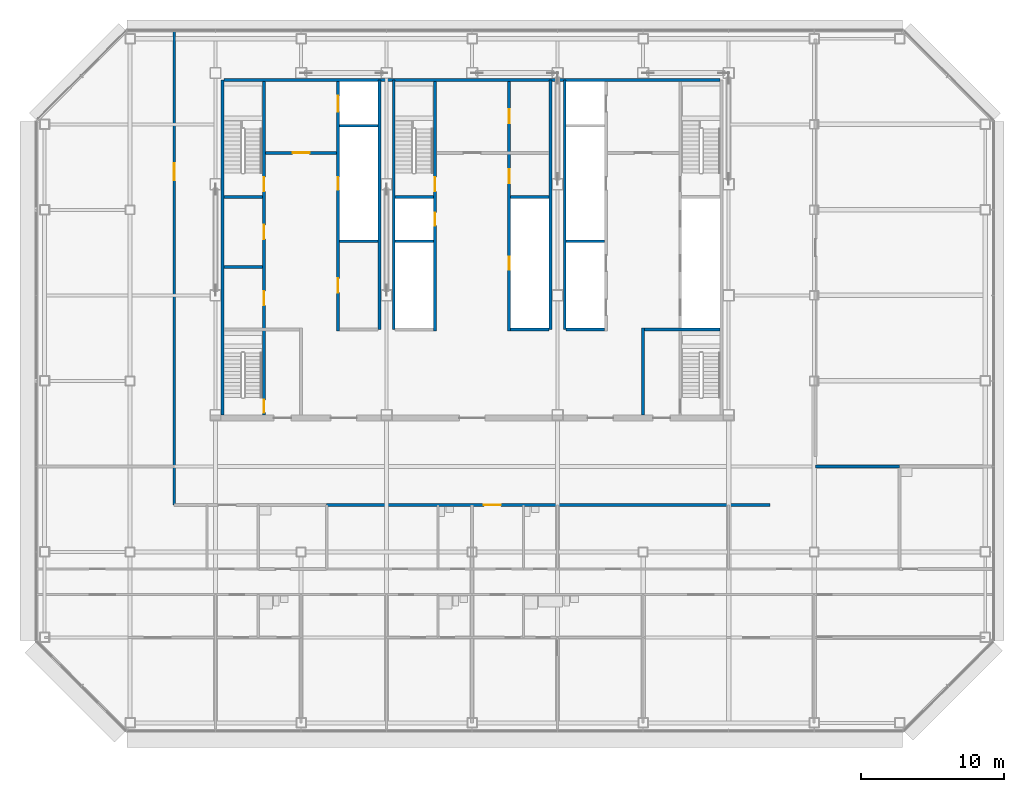
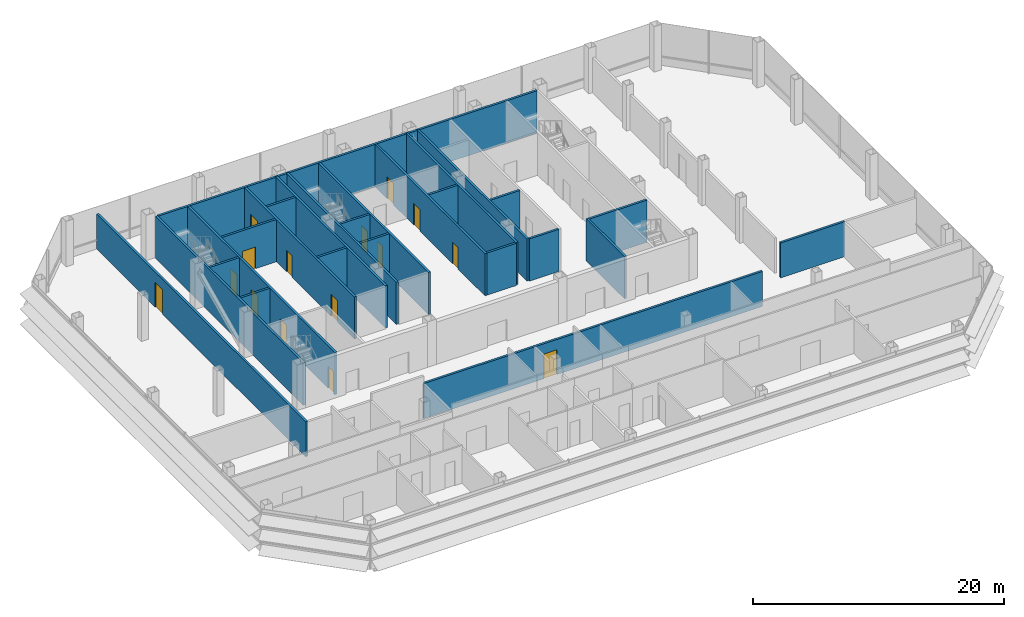
# One storey, part 21 of 26: 26 walls, 15 doors, 15 openings.
"""IFC4 building model written with IfcOpenShell, lengths in metres."""

from ifc_helpers import new_model, si_unit, direction, frame, frame_2d, origin, place, context, subcontext, project, spatial, rectangle, extrude, material, layer, layer_set, type_object, element, fill, save


model = new_model("IFC4")

# Units and contexts
model_context = context("Model", 3, precision=1e-05, world=origin(), true_north=direction((0.0, 1.0)))
body_context = subcontext(model_context, "Body", "Model", "MODEL_VIEW")
ifc_project = project(units=[si_unit("LENGTHUNIT", "METRE"), si_unit("AREAUNIT", "SQUARE_METRE"), si_unit("VOLUMEUNIT", "CUBIC_METRE"), si_unit("PLANEANGLEUNIT", "RADIAN"), si_unit("MASSUNIT", "GRAM", prefix="KILO")], contexts=[model_context])

# Site, building, storey
site_placement = place(None, origin())
site = spatial("IfcSite", under=ifc_project, at=site_placement, CompositionType="ELEMENT")
building_placement = place(site_placement, origin())
building = spatial("IfcBuilding", under=site, at=building_placement, Name="Sorahane Residences", CompositionType="ELEMENT")
storey_placement = place(building_placement, frame((0.0, 0.0, 181.60009765625)))
storey = spatial("IfcBuildingStorey", under=building, at=storey_placement, Name="L42", CompositionType="ELEMENT", Elevation=181.60009765625)

# Walls
ifc_material_1 = material(Name="Concrete C30", Category="concrete")
ifc_layer_1 = layer(ifc_material_1, 0.199951171875)
ifc_layer_set_1 = layer_set([ifc_layer_1], Name="Core face wall 200 EI 180")
wall_type_1 = type_object("IfcWallType", Name="Core face wall 200 EI 180", PredefinedType="SOLIDWALL", material=ifc_layer_set_1)
wall_1_placement = place(storey_placement, frame((6.5, 21.60009765625, 0.0), z_axis=(0.0, 0.0, 1.0), x_axis=(0.0, 1.0, 0.0)))
element("IfcWall", 1, at=wall_1_placement, inside=storey, type_object=wall_type_1, Name="L42 core face wall", PredefinedType="SOLIDWALL", context=body_context, shape_type="SweptSolid", body=[
    extrude(rectangle(XDim=23.5, YDim=0.199951171875, at=frame_2d((11.75, 0.0))), origin(), (0.0, 0.0, 1.0), 4.099853515625),
])
wall_2_placement = place(storey_placement, frame((6.60009765625, 45.10009765625, 0.0), z_axis=(0.0, 0.0, 1.0), x_axis=(1.0, 0.0, 0.0)))
element("IfcWall", 2, at=wall_2_placement, inside=storey, type_object=wall_type_1, Name="L42 core face wall", PredefinedType="SOLIDWALL", context=body_context, shape_type="SweptSolid", body=[
    extrude(rectangle(XDim=34.7998046875, YDim=0.199951171875, at=frame_2d((17.39990234375, 0.0))), origin(), (0.0, 0.0, 1.0), 4.099853515625),
])
for number, where, z_axis, x_axis, name in (
    (3, (17.5, 27.60009765625, 0.0), (0.0, 0.0, 1.0), (0.0, 1.0, 0.0), "L42 core face wall"),
    (4, (18.5, 27.60009765625, 0.0), (0.0, 0.0, 1.0), (0.0, 1.0, 0.0), "L42 core face wall"),
    (5, (29.5, 27.60009765625, 0.0), (0.0, 0.0, 1.0), (0.0, 1.0, 0.0), "L42 core face wall"),
    (6, (30.5, 27.60009765625, 0.0), (0.0, 0.0, 1.0), (0.0, 1.0, 0.0), "L42 core face wall"),
):
    element("IfcWall", number, at=place(storey_placement, frame(where, z_axis=z_axis, x_axis=x_axis)), inside=storey, type_object=wall_type_1, Name=name, PredefinedType="SOLIDWALL", context=body_context, shape_type="SweptSolid", body=[
        extrude(rectangle(XDim=17.5, YDim=0.199951171875, at=frame_2d((8.75, 0.0))), origin(), (0.0, 0.0, 1.0), 4.099853515625),
    ])

# Wall, opening, door
ifc_material_2 = material(Name="Concrete blockwork C20 wall", Category="masonry")
ifc_layer_2 = layer(ifc_material_2, 0.199951171875)
ifc_layer_set_2 = layer_set([ifc_layer_2], Name="Corridor wall 200 EI 120")
wall_type_2 = type_object("IfcWallType", Name="Corridor wall 200 EI 120", PredefinedType="SOLIDWALL", material=ifc_layer_set_2)
wall_3_placement = place(storey_placement, frame((3.10009765625, 15.300048828125, 0.0), z_axis=(0.0, 0.0, 1.0), x_axis=(0.0, 1.0, 0.0)))
wall_3 = element("IfcWall", 7, at=wall_3_placement, inside=storey, type_object=wall_type_2, Name="L42 corridor wall", PredefinedType="SOLIDWALL", context=body_context, shape_type="SweptSolid", body=[
    extrude(rectangle(XDim=33.300048828125, YDim=0.199951171875, at=frame_2d((16.64990234375, 0.0))), origin(), (0.0, 0.0, 1.0), 3.39990234375),
])
opening_1_placement = place(wall_3_placement, frame((22.760009765625, 0.0, 0.0)))
opening_1 = element("IfcOpeningElement", 8, at=opening_1_placement, cuts=wall_3, Name="Opening L42-30", PredefinedType="OPENING", context=body_context, shape_type="SweptSolid", body=[
    extrude(rectangle(XDim=1.199951171875, YDim=2.39990234375, at=frame_2d((0.60009765625, 1.199951171875))), frame((0.0, 0.10986328125, 0.0), z_axis=(0.0, -1.0, 0.0), x_axis=(1.0, 0.0, 0.0)), (0.0, 0.0, 1.0), 0.219970703125),
])
ifc_material_3 = material(Name="Steel", Category="steel")
door_type_1 = type_object("IfcDoorType", Name="Lobby door 1200x2400 FD60", OperationType="NOTDEFINED", PredefinedType="DOOR", material=ifc_material_3)
door_1_placement = place(opening_1_placement, origin())
door_1 = element("IfcDoor", 9, at=door_1_placement, inside=storey, type_object=door_type_1, Name="Lobby door L42-30", OperationType="SINGLE_SWING_LEFT", OverallHeight=2.39990234375, OverallWidth=1.199951171875, PredefinedType="DOOR", context=body_context, shape_type="SweptSolid", body=[
    extrude(rectangle(XDim=1.199951171875, YDim=2.39990234375, at=frame_2d((0.60009765625, 1.199951171875))), frame((0.0, 0.02490234375, 0.0), z_axis=(0.0, -1.0, 0.0), x_axis=(1.0, 0.0, 0.0)), (0.0, 0.0, 1.0), 0.050048828125),
])
fill(opening_1, door_1)

wall_4_placement = place(storey_placement, frame((13.800048828125, 15.300048828125, 0.0), z_axis=(0.0, 0.0, 1.0), x_axis=(1.0, 0.0, 0.0)))
wall_4 = element("IfcWall", 10, at=wall_4_placement, inside=storey, type_object=wall_type_2, Name="L42 corridor wall", PredefinedType="SOLIDWALL", context=body_context, shape_type="SweptSolid", body=[
    extrude(rectangle(XDim=31.099853515625, YDim=0.199951171875, at=frame_2d((15.5498046875, 0.0))), origin(), (0.0, 0.0, 1.0), 3.39990234375),
])
opening_2_placement = place(wall_4_placement, frame((11.02001953125, 0.0, 0.0)))
opening_2 = element("IfcOpeningElement", 11, at=opening_2_placement, cuts=wall_4, Name="Opening L42-29", PredefinedType="OPENING", context=body_context, shape_type="SweptSolid", body=[
    extrude(rectangle(XDim=1.199951171875, YDim=2.39990234375, at=frame_2d((0.60009765625, 1.199951171875))), frame((0.0, 0.10986328125, 0.0), z_axis=(0.0, -1.0, 0.0), x_axis=(1.0, 0.0, 0.0)), (0.0, 0.0, 1.0), 0.219970703125),
])
ifc_material_4 = material(Name="Timber veneered fire door", Category="wood")
door_type_2 = type_object("IfcDoorType", Name="Flat entrance door 1200x2400 FD60", OperationType="NOTDEFINED", PredefinedType="DOOR", material=ifc_material_4)
door_2_placement = place(opening_2_placement, frame((1.199951171875, 0.0, 0.0), z_axis=(0.0, 0.0, 1.0), x_axis=(-1.0, 0.0, 0.0)))
door_2 = element("IfcDoor", 12, at=door_2_placement, inside=storey, type_object=door_type_2, Name="Flat entrance door L42-29", OperationType="SINGLE_SWING_LEFT", OverallHeight=2.39990234375, OverallWidth=1.199951171875, PredefinedType="DOOR", context=body_context, shape_type="SweptSolid", body=[
    extrude(rectangle(XDim=1.199951171875, YDim=2.39990234375, at=frame_2d((0.60009765625, 1.199951171875))), frame((0.0, 0.02490234375, 0.0), z_axis=(0.0, -1.0, 0.0), x_axis=(1.0, 0.0, 0.0)), (0.0, 0.0, 1.0), 0.050048828125),
])
fill(opening_2, door_2)

# Walls
wall_5_placement = place(storey_placement, frame((48.10009765625, 18.0, 0.0), z_axis=(0.0, 0.0, 1.0), x_axis=(1.0, 0.0, 0.0)))
element("IfcWall", 13, at=wall_5_placement, inside=storey, type_object=wall_type_2, Name="L42 corridor wall", PredefinedType="SOLIDWALL", context=body_context, shape_type="SweptSolid", body=[
    extrude(rectangle(XDim=5.89990234375, YDim=0.199951171875, at=frame_2d((2.949951171875, 0.0))), origin(), (0.0, 0.0, 1.0), 3.39990234375),
])
ifc_material_5 = material(Name="Concrete C30", Category="concrete")
ifc_layer_3 = layer(ifc_material_5, 0.199951171875)
ifc_layer_set_3 = layer_set([ifc_layer_3], Name="Front room wall 200 EI 120")
wall_type_3 = type_object("IfcWallType", Name="Front room wall 200 EI 120", PredefinedType="PARTITIONING", material=ifc_layer_set_3)
wall_6_placement = place(storey_placement, frame((36.0, 21.60009765625, 0.0), z_axis=(0.0, 0.0, 1.0), x_axis=(0.0, 1.0, 0.0)))
element("IfcWall", 14, at=wall_6_placement, inside=storey, type_object=wall_type_3, Name="L42 front room wall", PredefinedType="PARTITIONING", context=body_context, shape_type="SweptSolid", body=[
    extrude(rectangle(XDim=6.099853515625, YDim=0.199951171875, at=frame_2d((3.0498046875, 0.0))), origin(), (0.0, 0.0, 1.0), 4.099853515625),
])

# Wall, opening, door
wall_7_placement = place(storey_placement, frame((9.5, 40.0, 0.0), z_axis=(0.0, 0.0, 1.0), x_axis=(1.0, 0.0, 0.0)))
wall_7 = element("IfcWall", 15, at=wall_7_placement, inside=storey, type_object=wall_type_3, Name="L42 front room wall", PredefinedType="PARTITIONING", context=body_context, shape_type="SweptSolid", body=[
    extrude(rectangle(XDim=5.0, YDim=0.199951171875, at=frame_2d((2.5, 0.0))), origin(), (0.0, 0.0, 1.0), 4.099853515625),
])
opening_3_placement = place(wall_7_placement, frame((1.89990234375, 0.0, 0.0)))
opening_3 = element("IfcOpeningElement", 16, at=opening_3_placement, cuts=wall_7, Name="Opening L42-C06", PredefinedType="OPENING", context=body_context, shape_type="SweptSolid", body=[
    extrude(rectangle(XDim=1.199951171875, YDim=2.10009765625, at=frame_2d((0.60009765625, 1.050048828125))), frame((0.0, 0.10986328125, 0.0), z_axis=(0.0, -1.0, 0.0), x_axis=(1.0, 0.0, 0.0)), (0.0, 0.0, 1.0), 0.219970703125),
])
ifc_material_6 = material(Name="Steel", Category="steel")
door_type_3 = type_object("IfcDoorType", Name="Front room door 1200x2100 FD120", OperationType="NOTDEFINED", PredefinedType="DOOR", material=ifc_material_6)
door_3_placement = place(opening_3_placement, frame((1.199951171875, 0.0, 0.0), z_axis=(0.0, 0.0, 1.0), x_axis=(-1.0, 0.0, 0.0)))
door_3 = element("IfcDoor", 17, at=door_3_placement, inside=storey, type_object=door_type_3, Name="Front room door Firefighting lobby FF1 front room L42", OperationType="DOUBLE_DOOR_SINGLE_SWING", OverallHeight=2.10009765625, OverallWidth=1.199951171875, PredefinedType="DOOR", context=body_context, shape_type="SweptSolid", body=[
    extrude(rectangle(XDim=1.199951171875, YDim=2.10009765625, at=frame_2d((0.60009765625, 1.050048828125))), frame((0.0, 0.02490234375, 0.0), z_axis=(0.0, -1.0, 0.0), x_axis=(1.0, 0.0, 0.0)), (0.0, 0.0, 1.0), 0.050048828125),
])
fill(opening_3, door_3)

# Wall, openings, doors
ifc_material_7 = material(Name="Concrete C30", Category="concrete")
ifc_layer_4 = layer(ifc_material_7, 0.199951171875)
ifc_layer_set_4 = layer_set([ifc_layer_4], Name="Lift shaft wall 200 EI 120")
wall_type_4 = type_object("IfcWallType", Name="Lift shaft wall 200 EI 120", PredefinedType="SOLIDWALL", material=ifc_layer_set_4)
wall_8_placement = place(storey_placement, frame((14.60009765625, 27.5, 0.0), z_axis=(0.0, 0.0, 1.0), x_axis=(0.0, 1.0, 0.0)))
wall_8 = element("IfcWall", 18, at=wall_8_placement, inside=storey, type_object=wall_type_4, Name="L42 lift shaft wall", PredefinedType="SOLIDWALL", context=body_context, shape_type="SweptSolid", body=[
    extrude(rectangle(XDim=17.5, YDim=0.199951171875, at=frame_2d((8.75, 0.0))), origin(), (0.0, 0.0, 1.0), 4.099853515625),
])
opening_4_placement = place(wall_8_placement, frame((15.39990234375, 0.0, 0.0)))
opening_4 = element("IfcOpeningElement", 19, at=opening_4_placement, cuts=wall_8, Name="Opening L42-C15", PredefinedType="OPENING", context=body_context, shape_type="SweptSolid", body=[
    extrude(rectangle(XDim=1.10009765625, YDim=2.10009765625, at=frame_2d((0.550048828125, 1.050048828125))), frame((0.0, 0.10986328125, 0.0), z_axis=(0.0, -1.0, 0.0), x_axis=(1.0, 0.0, 0.0)), (0.0, 0.0, 1.0), 0.219970703125),
])
opening_5_placement = place(wall_8_placement, frame((2.699951171875, 0.0, 0.0)))
opening_5 = element("IfcOpeningElement", 20, at=opening_5_placement, cuts=wall_8, Name="Opening L42-C16", PredefinedType="OPENING", context=body_context, shape_type="SweptSolid", body=[
    extrude(rectangle(XDim=1.0, YDim=2.10009765625, at=frame_2d((0.5, 1.050048828125))), frame((0.0, 0.10986328125, 0.0), z_axis=(0.0, -1.0, 0.0), x_axis=(1.0, 0.0, 0.0)), (0.0, 0.0, 1.0), 0.219970703125),
])
opening_6_placement = place(wall_8_placement, frame((9.89990234375, 0.0, 0.0)))
opening_6 = element("IfcOpeningElement", 21, at=opening_6_placement, cuts=wall_8, Name="Opening L42-C24", PredefinedType="OPENING", context=body_context, shape_type="SweptSolid", body=[
    extrude(rectangle(XDim=0.89990234375, YDim=2.10009765625, at=frame_2d((0.449951171875, 1.050048828125))), frame((0.0, 0.10986328125, 0.0), z_axis=(0.0, -1.0, 0.0), x_axis=(1.0, 0.0, 0.0)), (0.0, 0.0, 1.0), 0.219970703125),
])
ifc_material_8 = material(Name="Aluminium and stainless steel", Category="steel")
door_type_4 = type_object("IfcDoorType", Name="Lift landing door 1100x2100 E 60", OperationType="NOTDEFINED", PredefinedType="DOOR", material=ifc_material_8)
door_4_placement = place(opening_4_placement, origin())
door_4 = element("IfcDoor", 22, at=door_4_placement, inside=storey, type_object=door_type_4, Name="Lift landing door FF1 L42", OperationType="DOUBLE_DOOR_SLIDING", OverallHeight=2.10009765625, OverallWidth=1.10009765625, PredefinedType="DOOR", context=body_context, shape_type="SweptSolid", body=[
    extrude(rectangle(XDim=1.10009765625, YDim=2.10009765625, at=frame_2d((0.550048828125, 1.050048828125))), frame((0.0, 0.02490234375, 0.0), z_axis=(0.0, -1.0, 0.0), x_axis=(1.0, 0.0, 0.0)), (0.0, 0.0, 1.0), 0.050048828125),
])
fill(opening_4, door_4)
ifc_material_9 = material(Name="Steel", Category="steel")
door_type_5 = type_object("IfcDoorType", Name="Riser door 900x2100 FD120", OperationType="NOTDEFINED", PredefinedType="DOOR", material=ifc_material_9)
door_5_placement = place(opening_6_placement, origin())
door_5 = element("IfcDoor", 23, at=door_5_placement, inside=storey, type_object=door_type_5, Name="Riser door R1 L42", OperationType="SINGLE_SWING_LEFT", OverallHeight=2.10009765625, OverallWidth=0.89990234375, PredefinedType="DOOR", context=body_context, shape_type="SweptSolid", body=[
    extrude(rectangle(XDim=0.89990234375, YDim=2.10009765625, at=frame_2d((0.449951171875, 1.050048828125))), frame((0.0, 0.02490234375, 0.0), z_axis=(0.0, -1.0, 0.0), x_axis=(1.0, 0.0, 0.0)), (0.0, 0.0, 1.0), 0.050048828125),
])
fill(opening_6, door_5)
ifc_material_10 = material(Name="Steel", Category="steel")
door_type_6 = type_object("IfcDoorType", Name="Service room door 1000x2100 FD60", OperationType="NOTDEFINED", PredefinedType="DOOR", material=ifc_material_10)
door_6_placement = place(opening_5_placement, frame((1.0, 0.0, 0.0), z_axis=(0.0, 0.0, 1.0), x_axis=(-1.0, 0.0, 0.0)))
door_6 = element("IfcDoor", 24, at=door_6_placement, inside=storey, type_object=door_type_6, Name="Service room door Cinema room L42", OperationType="SINGLE_SWING_RIGHT", OverallHeight=2.10009765625, OverallWidth=1.0, PredefinedType="DOOR", context=body_context, shape_type="SweptSolid", body=[
    extrude(rectangle(XDim=1.0, YDim=2.10009765625, at=frame_2d((0.5, 1.050048828125))), frame((0.0, 0.02490234375, 0.0), z_axis=(0.0, -1.0, 0.0), x_axis=(1.0, 0.0, 0.0)), (0.0, 0.0, 1.0), 0.050048828125),
])
fill(opening_5, door_6)

# Walls
for number, where, z_axis, x_axis, name in (
    (25, (30.60009765625, 27.60009765625, 0.0), (0.0, 0.0, 1.0), (1.0, 0.0, 0.0), "L42 lift shaft wall"),
    (26, (18.60009765625, 33.800048828125, 0.0), (0.0, 0.0, 1.0), (1.0, 0.0, 0.0), "L42 lift shaft wall"),
    (27, (30.60009765625, 33.800048828125, 0.0), (0.0, 0.0, 1.0), (1.0, 0.0, 0.0), "L42 lift shaft wall"),
    (28, (14.699951171875, 41.89990234375, 0.0), (0.0, 0.0, 1.0), (1.0, 0.0, 0.0), "L42 lift shaft wall"),
):
    element("IfcWall", number, at=place(storey_placement, frame(where, z_axis=z_axis, x_axis=x_axis)), inside=storey, type_object=wall_type_4, Name=name, PredefinedType="SOLIDWALL", context=body_context, shape_type="SweptSolid", body=[
        extrude(rectangle(XDim=2.699951171875, YDim=0.199951171875, at=frame_2d((1.35009765625, 0.0))), origin(), (0.0, 0.0, 1.0), 4.099853515625),
    ])

# Wall, openings, doors
ifc_material_11 = material(Name="Concrete C30", Category="concrete")
ifc_layer_5 = layer(ifc_material_11, 0.199951171875)
ifc_layer_set_5 = layer_set([ifc_layer_5], Name="Riser shaft wall 200 EI 120")
wall_type_5 = type_object("IfcWallType", Name="Riser shaft wall 200 EI 120", PredefinedType="SOLIDWALL", material=ifc_layer_set_5)
wall_9_placement = place(storey_placement, frame((26.60009765625, 27.5, 0.0), z_axis=(0.0, 0.0, 1.0), x_axis=(0.0, 1.0, 0.0)))
wall_9 = element("IfcWall", 29, at=wall_9_placement, inside=storey, type_object=wall_type_5, Name="L42 riser wall", PredefinedType="SOLIDWALL", context=body_context, shape_type="SweptSolid", body=[
    extrude(rectangle(XDim=17.5, YDim=0.199951171875, at=frame_2d((8.75, 0.0))), origin(), (0.0, 0.0, 1.0), 4.099853515625),
])
opening_7_placement = place(wall_9_placement, frame((4.300048828125, 0.0, 0.0)))
opening_7 = element("IfcOpeningElement", 30, at=opening_7_placement, cuts=wall_9, Name="Opening L42-C27", PredefinedType="OPENING", context=body_context, shape_type="SweptSolid", body=[
    extrude(rectangle(XDim=0.89990234375, YDim=2.10009765625, at=frame_2d((0.449951171875, 1.050048828125))), frame((0.0, 0.10986328125, 0.0), z_axis=(0.0, -1.0, 0.0), x_axis=(1.0, 0.0, 0.0)), (0.0, 0.0, 1.0), 0.219970703125),
])
opening_8_placement = place(wall_9_placement, frame((10.35009765625, 0.0, 0.0)))
opening_8 = element("IfcOpeningElement", 31, at=opening_8_placement, cuts=wall_9, Name="Opening L42-C28", PredefinedType="OPENING", context=body_context, shape_type="SweptSolid", body=[
    extrude(rectangle(XDim=1.0, YDim=2.10009765625, at=frame_2d((0.5, 1.050048828125))), frame((0.0, 0.10986328125, 0.0), z_axis=(0.0, -1.0, 0.0), x_axis=(1.0, 0.0, 0.0)), (0.0, 0.0, 1.0), 0.219970703125),
])
opening_9_placement = place(wall_9_placement, frame((14.574951171875, 0.0, 0.0)))
opening_9 = element("IfcOpeningElement", 32, at=opening_9_placement, cuts=wall_9, Name="Opening L42-C29", PredefinedType="OPENING", context=body_context, shape_type="SweptSolid", body=[
    extrude(rectangle(XDim=1.0, YDim=2.10009765625, at=frame_2d((0.5, 1.050048828125))), frame((0.0, 0.10986328125, 0.0), z_axis=(0.0, -1.0, 0.0), x_axis=(1.0, 0.0, 0.0)), (0.0, 0.0, 1.0), 0.219970703125),
])
door_7_placement = place(opening_7_placement, origin())
door_7 = element("IfcDoor", 33, at=door_7_placement, inside=storey, type_object=door_type_5, Name="Riser door R4 L42", OperationType="SINGLE_SWING_LEFT", OverallHeight=2.10009765625, OverallWidth=0.89990234375, PredefinedType="DOOR", context=body_context, shape_type="SweptSolid", body=[
    extrude(rectangle(XDim=0.89990234375, YDim=2.10009765625, at=frame_2d((0.449951171875, 1.050048828125))), frame((0.0, 0.02490234375, 0.0), z_axis=(0.0, -1.0, 0.0), x_axis=(1.0, 0.0, 0.0)), (0.0, 0.0, 1.0), 0.050048828125),
])
fill(opening_7, door_7)
door_8_placement = place(opening_8_placement, frame((1.0, 0.0, 0.0), z_axis=(0.0, 0.0, 1.0), x_axis=(-1.0, 0.0, 0.0)))
door_8 = element("IfcDoor", 34, at=door_8_placement, inside=storey, type_object=door_type_6, Name="Service room door Linen room L42", OperationType="SINGLE_SWING_LEFT", OverallHeight=2.10009765625, OverallWidth=1.0, PredefinedType="DOOR", context=body_context, shape_type="SweptSolid", body=[
    extrude(rectangle(XDim=1.0, YDim=2.10009765625, at=frame_2d((0.5, 1.050048828125))), frame((0.0, 0.02490234375, 0.0), z_axis=(0.0, -1.0, 0.0), x_axis=(1.0, 0.0, 0.0)), (0.0, 0.0, 1.0), 0.050048828125),
])
fill(opening_8, door_8)
door_9_placement = place(opening_9_placement, frame((1.0, 0.0, 0.0), z_axis=(0.0, 0.0, 1.0), x_axis=(-1.0, 0.0, 0.0)))
door_9 = element("IfcDoor", 35, at=door_9_placement, inside=storey, type_object=door_type_6, Name="Service room door Cleaners' store L42", OperationType="SINGLE_SWING_LEFT", OverallHeight=2.10009765625, OverallWidth=1.0, PredefinedType="DOOR", context=body_context, shape_type="SweptSolid", body=[
    extrude(rectangle(XDim=1.0, YDim=2.10009765625, at=frame_2d((0.5, 1.050048828125))), frame((0.0, 0.02490234375, 0.0), z_axis=(0.0, -1.0, 0.0), x_axis=(1.0, 0.0, 0.0)), (0.0, 0.0, 1.0), 0.050048828125),
])
fill(opening_9, door_9)

# Walls
for number, where, z_axis, x_axis, name in (
    (36, (26.699951171875, 27.60009765625, 0.0), (0.0, 0.0, 1.0), (1.0, 0.0, 0.0), "L42 riser wall"),
    (37, (14.699951171875, 33.800048828125, 0.0), (0.0, 0.0, 1.0), (1.0, 0.0, 0.0), "L42 riser wall"),
    (38, (26.699951171875, 36.89990234375, 0.0), (0.0, 0.0, 1.0), (1.0, 0.0, 0.0), "L42 riser wall"),
):
    element("IfcWall", number, at=place(storey_placement, frame(where, z_axis=z_axis, x_axis=x_axis)), inside=storey, type_object=wall_type_5, Name=name, PredefinedType="SOLIDWALL", context=body_context, shape_type="SweptSolid", body=[
        extrude(rectangle(XDim=2.699951171875, YDim=0.199951171875, at=frame_2d((1.35009765625, 0.0))), origin(), (0.0, 0.0, 1.0), 4.099853515625),
    ])
ifc_material_12 = material(Name="Concrete C30", Category="concrete")
ifc_layer_6 = layer(ifc_material_12, 0.199951171875)
ifc_layer_set_6 = layer_set([ifc_layer_6], Name="Service room partition 200 EI 60")
wall_type_6 = type_object("IfcWallType", Name="Service room partition 200 EI 60", PredefinedType="PARTITIONING", material=ifc_layer_set_6)
wall_10_placement = place(storey_placement, frame((6.60009765625, 32.0, 0.0), z_axis=(0.0, 0.0, 1.0), x_axis=(1.0, 0.0, 0.0)))
element("IfcWall", 39, at=wall_10_placement, inside=storey, type_object=wall_type_6, Name="L42 service room wall", PredefinedType="PARTITIONING", context=body_context, shape_type="SweptSolid", body=[
    extrude(rectangle(XDim=2.699951171875, YDim=0.199951171875, at=frame_2d((1.35009765625, 0.0))), origin(), (0.0, 0.0, 1.0), 4.099853515625),
])

# Wall, openings, doors
ifc_material_13 = material(Name="Concrete C30", Category="concrete")
ifc_layer_7 = layer(ifc_material_13, 0.199951171875)
ifc_layer_set_7 = layer_set([ifc_layer_7], Name="Stair enclosure wall 200 EI 120")
wall_type_7 = type_object("IfcWallType", Name="Stair enclosure wall 200 EI 120", PredefinedType="SOLIDWALL", material=ifc_layer_set_7)
wall_11_placement = place(storey_placement, frame((21.39990234375, 27.5, 0.0), z_axis=(0.0, 0.0, 1.0), x_axis=(0.0, 1.0, 0.0)))
wall_11 = element("IfcWall", 40, at=wall_11_placement, inside=storey, type_object=wall_type_7, Name="L42 stair enclosure wall", PredefinedType="SOLIDWALL", context=body_context, shape_type="SweptSolid", body=[
    extrude(rectangle(XDim=17.5, YDim=0.199951171875, at=frame_2d((8.75, 0.0))), origin(), (0.0, 0.0, 1.0), 4.099853515625),
])
opening_10_placement = place(wall_11_placement, frame((9.800048828125, 0.0, 0.0)))
opening_10 = element("IfcOpeningElement", 41, at=opening_10_placement, cuts=wall_11, Name="Opening L42-C21", PredefinedType="OPENING", context=body_context, shape_type="SweptSolid", body=[
    extrude(rectangle(XDim=1.0, YDim=2.10009765625, at=frame_2d((0.5, 1.050048828125))), frame((0.0, 0.10986328125, 0.0), z_axis=(0.0, -1.0, 0.0), x_axis=(1.0, 0.0, 0.0)), (0.0, 0.0, 1.0), 0.219970703125),
])
opening_11_placement = place(wall_11_placement, frame((7.39990234375, 0.0, 0.0)))
opening_11 = element("IfcOpeningElement", 42, at=opening_11_placement, cuts=wall_11, Name="Opening L42-C26", PredefinedType="OPENING", context=body_context, shape_type="SweptSolid", body=[
    extrude(rectangle(XDim=0.89990234375, YDim=2.10009765625, at=frame_2d((0.449951171875, 1.050048828125))), frame((0.0, 0.10986328125, 0.0), z_axis=(0.0, -1.0, 0.0), x_axis=(1.0, 0.0, 0.0)), (0.0, 0.0, 1.0), 0.219970703125),
])
door_10_placement = place(opening_11_placement, frame((0.89990234375, 0.0, 0.0), z_axis=(0.0, 0.0, 1.0), x_axis=(-1.0, 0.0, 0.0)))
door_10 = element("IfcDoor", 43, at=door_10_placement, inside=storey, type_object=door_type_5, Name="Riser door R3 L42", OperationType="SINGLE_SWING_LEFT", OverallHeight=2.10009765625, OverallWidth=0.89990234375, PredefinedType="DOOR", context=body_context, shape_type="SweptSolid", body=[
    extrude(rectangle(XDim=0.89990234375, YDim=2.10009765625, at=frame_2d((0.449951171875, 1.050048828125))), frame((0.0, 0.02490234375, 0.0), z_axis=(0.0, -1.0, 0.0), x_axis=(1.0, 0.0, 0.0)), (0.0, 0.0, 1.0), 0.050048828125),
])
fill(opening_11, door_10)
ifc_material_14 = material(Name="Steel", Category="steel")
door_type_7 = type_object("IfcDoorType", Name="Stair door 1000x2100 FD120", OperationType="NOTDEFINED", PredefinedType="DOOR", material=ifc_material_14)
door_11_placement = place(opening_10_placement, origin())
door_11 = element("IfcDoor", 44, at=door_11_placement, inside=storey, type_object=door_type_7, Name="Stair door S3 L42", OperationType="SINGLE_SWING_LEFT", OverallHeight=2.10009765625, OverallWidth=1.0, PredefinedType="DOOR", context=body_context, shape_type="SweptSolid", body=[
    extrude(rectangle(XDim=1.0, YDim=2.10009765625, at=frame_2d((0.5, 1.050048828125))), frame((0.0, 0.02490234375, 0.0), z_axis=(0.0, -1.0, 0.0), x_axis=(1.0, 0.0, 0.0)), (0.0, 0.0, 1.0), 0.050048828125),
])
fill(opening_10, door_11)

wall_12_placement = place(storey_placement, frame((9.39990234375, 21.60009765625, 0.0), z_axis=(0.0, 0.0, 1.0), x_axis=(0.0, 1.0, 0.0)))
wall_12 = element("IfcWall", 45, at=wall_12_placement, inside=storey, type_object=wall_type_7, Name="L42 stair enclosure wall", PredefinedType="SOLIDWALL", context=body_context, shape_type="SweptSolid", body=[
    extrude(rectangle(XDim=23.39990234375, YDim=0.199951171875, at=frame_2d((11.699951171875, 0.0))), origin(), (0.0, 0.0, 1.0), 4.099853515625),
])
opening_12_placement = place(wall_12_placement, frame((7.699951171875, 0.0, 0.0)))
opening_12 = element("IfcOpeningElement", 46, at=opening_12_placement, cuts=wall_12, Name="Opening L42-C17", PredefinedType="OPENING", context=body_context, shape_type="SweptSolid", body=[
    extrude(rectangle(XDim=1.0, YDim=2.10009765625, at=frame_2d((0.5, 1.050048828125))), frame((0.0, 0.10986328125, 0.0), z_axis=(0.0, -1.0, 0.0), x_axis=(1.0, 0.0, 0.0)), (0.0, 0.0, 1.0), 0.219970703125),
])
opening_13_placement = place(wall_12_placement, frame((12.35009765625, 0.0, 0.0)))
opening_13 = element("IfcOpeningElement", 47, at=opening_13_placement, cuts=wall_12, Name="Opening L42-C18", PredefinedType="OPENING", context=body_context, shape_type="SweptSolid", body=[
    extrude(rectangle(XDim=1.0, YDim=2.10009765625, at=frame_2d((0.5, 1.050048828125))), frame((0.0, 0.10986328125, 0.0), z_axis=(0.0, -1.0, 0.0), x_axis=(1.0, 0.0, 0.0)), (0.0, 0.0, 1.0), 0.219970703125),
])
opening_14_placement = place(wall_12_placement, frame((15.699951171875, 0.0, 0.0)))
opening_14 = element("IfcOpeningElement", 48, at=opening_14_placement, cuts=wall_12, Name="Opening L42-C19", PredefinedType="OPENING", context=body_context, shape_type="SweptSolid", body=[
    extrude(rectangle(XDim=1.0, YDim=2.10009765625, at=frame_2d((0.5, 1.050048828125))), frame((0.0, 0.10986328125, 0.0), z_axis=(0.0, -1.0, 0.0), x_axis=(1.0, 0.0, 0.0)), (0.0, 0.0, 1.0), 0.219970703125),
])
opening_15_placement = place(wall_12_placement, frame((0.175048828125, 0.0, 0.0)))
opening_15 = element("IfcOpeningElement", 49, at=opening_15_placement, cuts=wall_12, Name="Opening L42-C22", PredefinedType="OPENING", context=body_context, shape_type="SweptSolid", body=[
    extrude(rectangle(XDim=0.89990234375, YDim=2.10009765625, at=frame_2d((0.449951171875, 1.050048828125))), frame((0.0, 0.10986328125, 0.0), z_axis=(0.0, -1.0, 0.0), x_axis=(1.0, 0.0, 0.0)), (0.0, 0.0, 1.0), 0.219970703125),
])
door_12_placement = place(opening_12_placement, origin())
door_12 = element("IfcDoor", 50, at=door_12_placement, inside=storey, type_object=door_type_6, Name="Service room door Archive L42", OperationType="SINGLE_SWING_LEFT", OverallHeight=2.10009765625, OverallWidth=1.0, PredefinedType="DOOR", context=body_context, shape_type="SweptSolid", body=[
    extrude(rectangle(XDim=1.0, YDim=2.10009765625, at=frame_2d((0.5, 1.050048828125))), frame((0.0, 0.02490234375, 0.0), z_axis=(0.0, -1.0, 0.0), x_axis=(1.0, 0.0, 0.0)), (0.0, 0.0, 1.0), 0.050048828125),
])
fill(opening_12, door_12)
door_13_placement = place(opening_13_placement, origin())
door_13 = element("IfcDoor", 51, at=door_13_placement, inside=storey, type_object=door_type_6, Name="Service room door Cinema room L42", OperationType="SINGLE_SWING_LEFT", OverallHeight=2.10009765625, OverallWidth=1.0, PredefinedType="DOOR", context=body_context, shape_type="SweptSolid", body=[
    extrude(rectangle(XDim=1.0, YDim=2.10009765625, at=frame_2d((0.5, 1.050048828125))), frame((0.0, 0.02490234375, 0.0), z_axis=(0.0, -1.0, 0.0), x_axis=(1.0, 0.0, 0.0)), (0.0, 0.0, 1.0), 0.050048828125),
])
fill(opening_13, door_13)
door_14_placement = place(opening_14_placement, origin())
door_14 = element("IfcDoor", 52, at=door_14_placement, inside=storey, type_object=door_type_7, Name="Stair door S1 L42", OperationType="SINGLE_SWING_LEFT", OverallHeight=2.10009765625, OverallWidth=1.0, PredefinedType="DOOR", context=body_context, shape_type="SweptSolid", body=[
    extrude(rectangle(XDim=1.0, YDim=2.10009765625, at=frame_2d((0.5, 1.050048828125))), frame((0.0, 0.02490234375, 0.0), z_axis=(0.0, -1.0, 0.0), x_axis=(1.0, 0.0, 0.0)), (0.0, 0.0, 1.0), 0.050048828125),
])
fill(opening_14, door_14)
ifc_material_15 = material(Name="Steel", Category="steel")
door_type_8 = type_object("IfcDoorType", Name="Stair door 900x2100 FD120", OperationType="NOTDEFINED", PredefinedType="DOOR", material=ifc_material_15)
door_15_placement = place(opening_15_placement, origin())
door_15 = element("IfcDoor", 53, at=door_15_placement, inside=storey, type_object=door_type_8, Name="Stair door S4 L42", OperationType="SINGLE_SWING_LEFT", OverallHeight=2.10009765625, OverallWidth=0.89990234375, PredefinedType="DOOR", context=body_context, shape_type="SweptSolid", body=[
    extrude(rectangle(XDim=0.89990234375, YDim=2.10009765625, at=frame_2d((0.449951171875, 1.050048828125))), frame((0.0, 0.02490234375, 0.0), z_axis=(0.0, -1.0, 0.0), x_axis=(1.0, 0.0, 0.0)), (0.0, 0.0, 1.0), 0.050048828125),
])
fill(opening_15, door_15)

# Walls
wall_13_placement = place(storey_placement, frame((36.10009765625, 27.60009765625, 0.0), z_axis=(0.0, 0.0, 1.0), x_axis=(1.0, 0.0, 0.0)))
element("IfcWall", 54, at=wall_13_placement, inside=storey, type_object=wall_type_7, Name="L42 stair enclosure wall", PredefinedType="SOLIDWALL", context=body_context, shape_type="SweptSolid", body=[
    extrude(rectangle(XDim=5.2998046875, YDim=0.199951171875, at=frame_2d((2.64990234375, 0.0))), origin(), (0.0, 0.0, 1.0), 4.099853515625),
])
for number, where, z_axis, x_axis, name in (
    (55, (18.60009765625, 36.89990234375, 0.0), (0.0, 0.0, 1.0), (1.0, 0.0, 0.0), "L42 stair enclosure wall"),
    (56, (6.60009765625, 36.89990234375, 0.0), (0.0, 0.0, 1.0), (1.0, 0.0, 0.0), "L42 stair enclosure wall"),
):
    element("IfcWall", number, at=place(storey_placement, frame(where, z_axis=z_axis, x_axis=x_axis)), inside=storey, type_object=wall_type_7, Name=name, PredefinedType="SOLIDWALL", context=body_context, shape_type="SweptSolid", body=[
        extrude(rectangle(XDim=2.699951171875, YDim=0.199951171875, at=frame_2d((1.35009765625, 0.0))), origin(), (0.0, 0.0, 1.0), 4.099853515625),
    ])

save(model, "model.ifc")
